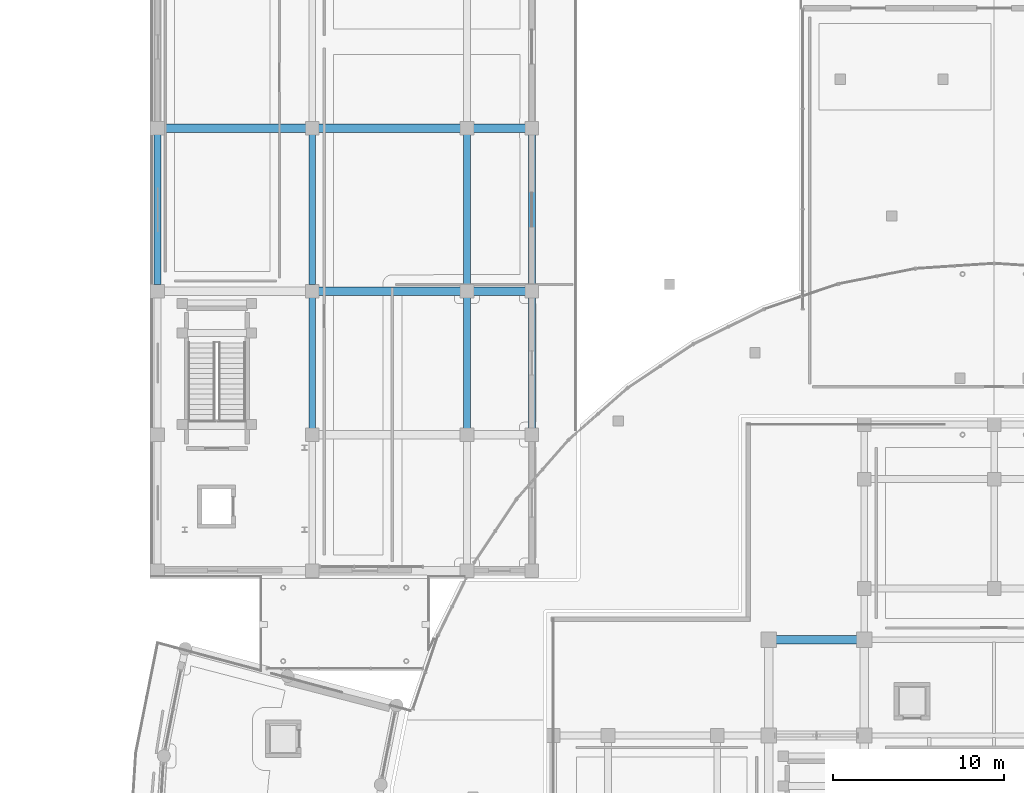
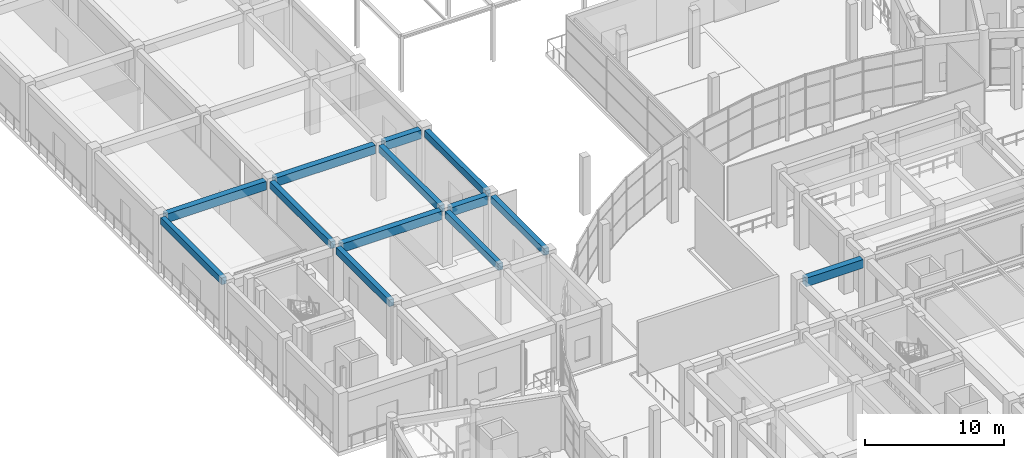
# One storey, part 36 of 99: 13 beams.
"""IFC4 building model written with IfcOpenShell, lengths in metres."""

from ifc_helpers import new_model, si_unit, direction, frame, origin, origin_2d, place, context, subcontext, project, spatial, rectangle, extrude, material, material_profile, profile_set, type_object, element, save


model = new_model("IFC4")

# Units and contexts
model_context = context("Model", 3, precision=1e-05, world=origin(), true_north=direction((0.0, 1.0)))
body_context = subcontext(model_context, "Body", "Model", "MODEL_VIEW")
ifc_project = project(units=[si_unit("LENGTHUNIT", "METRE"), si_unit("AREAUNIT", "SQUARE_METRE"), si_unit("VOLUMEUNIT", "CUBIC_METRE"), si_unit("PLANEANGLEUNIT", "RADIAN"), si_unit("MASSUNIT", "GRAM", prefix="KILO")], contexts=[model_context])

# Site, building, storey
site_placement = place(None, origin())
site = spatial("IfcSite", under=ifc_project, at=site_placement, CompositionType="ELEMENT")
building_placement = place(site_placement, origin())
building = spatial("IfcBuilding", under=site, at=building_placement, Name="Saryqyr Civic Hall", CompositionType="ELEMENT")
storey_placement = place(building_placement, origin())
storey = spatial("IfcBuildingStorey", under=building, at=storey_placement, Name="L00", CompositionType="ELEMENT", Elevation=0.0)

# Beams
ifc_material_1 = material(Name="Concrete C35/45", Category="concrete")
ifc_material_profile_1 = material_profile(ifc_material_1, rectangle(XDim=0.39990234375, YDim=0.60009765625, at=origin_2d()), Name="RC 400x600")
ifc_profile_set_1 = profile_set([ifc_material_profile_1], Name="Concrete C35/45")
beam_type_1 = type_object("IfcBeamType", Name="STR-BM-RC400x600", PredefinedType="BEAM", material=ifc_profile_set_1)
beam_1_placement = place(storey_placement, frame((8.050048828125, 117.97509765625, 4.52001953125), z_axis=(0.0, 1.0, 0.0), x_axis=(-1.0, 0.0, 0.0)))
element("IfcBeam", 1, at=beam_1_placement, inside=storey, type_object=beam_type_1, Name="Beam V3-BM-NS-1-3-L00", PredefinedType="BEAM", context=body_context, shape_type="SweptSolid", body=[
    extrude(rectangle(XDim=0.39990234375, YDim=0.60009765625, at=origin_2d()), origin(), (0.0, 0.0, 1.0), 8.77978515625),
])
beam_2_placement = place(storey_placement, frame((17.10009765625, 109.574951171875, 4.52001953125), z_axis=(0.0, 1.0, 0.0), x_axis=(-1.0, 0.0, 0.0)))
element("IfcBeam", 2, at=beam_2_placement, inside=storey, type_object=beam_type_1, Name="Beam V3-BM-NS-2-2-L00", PredefinedType="BEAM", context=body_context, shape_type="SweptSolid", body=[
    extrude(rectangle(XDim=0.39990234375, YDim=0.60009765625, at=origin_2d()), origin(), (0.0, 0.0, 1.0), 7.650146484375),
])
beam_3_placement = place(storey_placement, frame((17.10009765625, 117.97509765625, 4.52001953125), z_axis=(0.0, 1.0, 0.0), x_axis=(-1.0, 0.0, 0.0)))
element("IfcBeam", 3, at=beam_3_placement, inside=storey, type_object=beam_type_1, Name="Beam V3-BM-NS-2-3-L00", PredefinedType="BEAM", context=body_context, shape_type="SweptSolid", body=[
    extrude(rectangle(XDim=0.39990234375, YDim=0.60009765625, at=origin_2d()), origin(), (0.0, 0.0, 1.0), 8.77978515625),
])
beam_4_placement = place(storey_placement, frame((26.14990234375, 109.574951171875, 4.52001953125), z_axis=(0.0, 1.0, 0.0), x_axis=(-1.0, 0.0, 0.0)))
element("IfcBeam", 4, at=beam_4_placement, inside=storey, type_object=beam_type_1, Name="Beam V3-BM-NS-3-2-L00", PredefinedType="BEAM", context=body_context, shape_type="SweptSolid", body=[
    extrude(rectangle(XDim=0.39990234375, YDim=0.60009765625, at=origin_2d()), origin(), (0.0, 0.0, 1.0), 7.650146484375),
])
beam_5_placement = place(storey_placement, frame((26.14990234375, 117.97509765625, 4.52001953125), z_axis=(0.0, 1.0, 0.0), x_axis=(-1.0, 0.0, 0.0)))
element("IfcBeam", 5, at=beam_5_placement, inside=storey, type_object=beam_type_1, Name="Beam V3-BM-NS-3-3-L00", PredefinedType="BEAM", context=body_context, shape_type="SweptSolid", body=[
    extrude(rectangle(XDim=0.39990234375, YDim=0.60009765625, at=origin_2d()), origin(), (0.0, 0.0, 1.0), 8.77978515625),
])
beam_6_placement = place(storey_placement, frame((29.949951171875, 109.574951171875, 4.52001953125), z_axis=(0.0, 1.0, 0.0), x_axis=(-1.0, 0.0, 0.0)))
element("IfcBeam", 6, at=beam_6_placement, inside=storey, type_object=beam_type_1, Name="Beam V3-BM-NS-4-2-L00", PredefinedType="BEAM", context=body_context, shape_type="SweptSolid", body=[
    extrude(rectangle(XDim=0.39990234375, YDim=0.60009765625, at=origin_2d()), origin(), (0.0, 0.0, 1.0), 7.650146484375),
])
beam_7_placement = place(storey_placement, frame((29.949951171875, 117.97509765625, 4.52001953125), z_axis=(0.0, 1.0, 0.0), x_axis=(-1.0, 0.0, 0.0)))
element("IfcBeam", 7, at=beam_7_placement, inside=storey, type_object=beam_type_1, Name="Beam V3-BM-NS-4-3-L00", PredefinedType="BEAM", context=body_context, shape_type="SweptSolid", body=[
    extrude(rectangle(XDim=0.39990234375, YDim=0.60009765625, at=origin_2d()), origin(), (0.0, 0.0, 1.0), 8.77978515625),
])
ifc_material_2 = material(Name="Concrete C40/50", Category="concrete")
ifc_material_profile_2 = material_profile(ifc_material_2, rectangle(XDim=0.5, YDim=0.75, at=origin_2d()), Name="RC 500x750")
ifc_profile_set_2 = profile_set([ifc_material_profile_2], Name="Concrete C40/50")
beam_type_2 = type_object("IfcBeamType", Name="STR-BM-RC500x750", PredefinedType="BEAM", material=ifc_profile_set_2)
beam_8_placement = place(storey_placement, frame((44.22509765625, 97.199951171875, 4.445068359375), z_axis=(1.0, 0.0, 0.0), x_axis=(0.0, 1.0, 0.0)))
element("IfcBeam", 8, at=beam_8_placement, inside=storey, type_object=beam_type_2, Name="Beam V1-WBM-W4-L00", PredefinedType="BEAM", context=body_context, shape_type="SweptSolid", body=[
    extrude(rectangle(XDim=0.5, YDim=0.75, at=origin_2d()), origin(), (0.0, 0.0, 1.0), 4.75),
])
beam_9_placement = place(storey_placement, frame((17.47509765625, 117.60009765625, 4.445068359375), z_axis=(1.0, 0.0, 0.0), x_axis=(0.0, 1.0, 0.0)))
element("IfcBeam", 9, at=beam_9_placement, inside=storey, type_object=beam_type_2, Name="Beam V3-BM-EW-3-2-L00", PredefinedType="BEAM", context=body_context, shape_type="SweptSolid", body=[
    extrude(rectangle(XDim=0.5, YDim=0.75, at=origin_2d()), origin(), (0.0, 0.0, 1.0), 8.2998046875),
])
beam_10_placement = place(storey_placement, frame((26.52490234375, 117.60009765625, 4.445068359375), z_axis=(1.0, 0.0, 0.0), x_axis=(0.0, 1.0, 0.0)))
element("IfcBeam", 10, at=beam_10_placement, inside=storey, type_object=beam_type_2, Name="Beam V3-BM-EW-3-3-L00", PredefinedType="BEAM", context=body_context, shape_type="SweptSolid", body=[
    extrude(rectangle(XDim=0.5, YDim=0.75, at=origin_2d()), origin(), (0.0, 0.0, 1.0), 3.050048828125),
])
beam_11_placement = place(storey_placement, frame((8.425048828125, 127.1298828125, 4.445068359375), z_axis=(1.0, 0.0, 0.0), x_axis=(0.0, 1.0, 0.0)))
element("IfcBeam", 11, at=beam_11_placement, inside=storey, type_object=beam_type_2, Name="Beam V3-BM-EW-4-1-L00", PredefinedType="BEAM", context=body_context, shape_type="SweptSolid", body=[
    extrude(rectangle(XDim=0.5, YDim=0.75, at=origin_2d()), origin(), (0.0, 0.0, 1.0), 8.300048828125),
])
beam_12_placement = place(storey_placement, frame((17.47509765625, 127.1298828125, 4.445068359375), z_axis=(1.0, 0.0, 0.0), x_axis=(0.0, 1.0, 0.0)))
element("IfcBeam", 12, at=beam_12_placement, inside=storey, type_object=beam_type_2, Name="Beam V3-BM-EW-4-2-L00", PredefinedType="BEAM", context=body_context, shape_type="SweptSolid", body=[
    extrude(rectangle(XDim=0.5, YDim=0.75, at=origin_2d()), origin(), (0.0, 0.0, 1.0), 8.2998046875),
])
beam_13_placement = place(storey_placement, frame((26.52490234375, 127.1298828125, 4.445068359375), z_axis=(1.0, 0.0, 0.0), x_axis=(0.0, 1.0, 0.0)))
element("IfcBeam", 13, at=beam_13_placement, inside=storey, type_object=beam_type_2, Name="Beam V3-BM-EW-4-3-L00", PredefinedType="BEAM", context=body_context, shape_type="SweptSolid", body=[
    extrude(rectangle(XDim=0.5, YDim=0.75, at=origin_2d()), origin(), (0.0, 0.0, 1.0), 3.050048828125),
])

save(model, "model.ifc")
